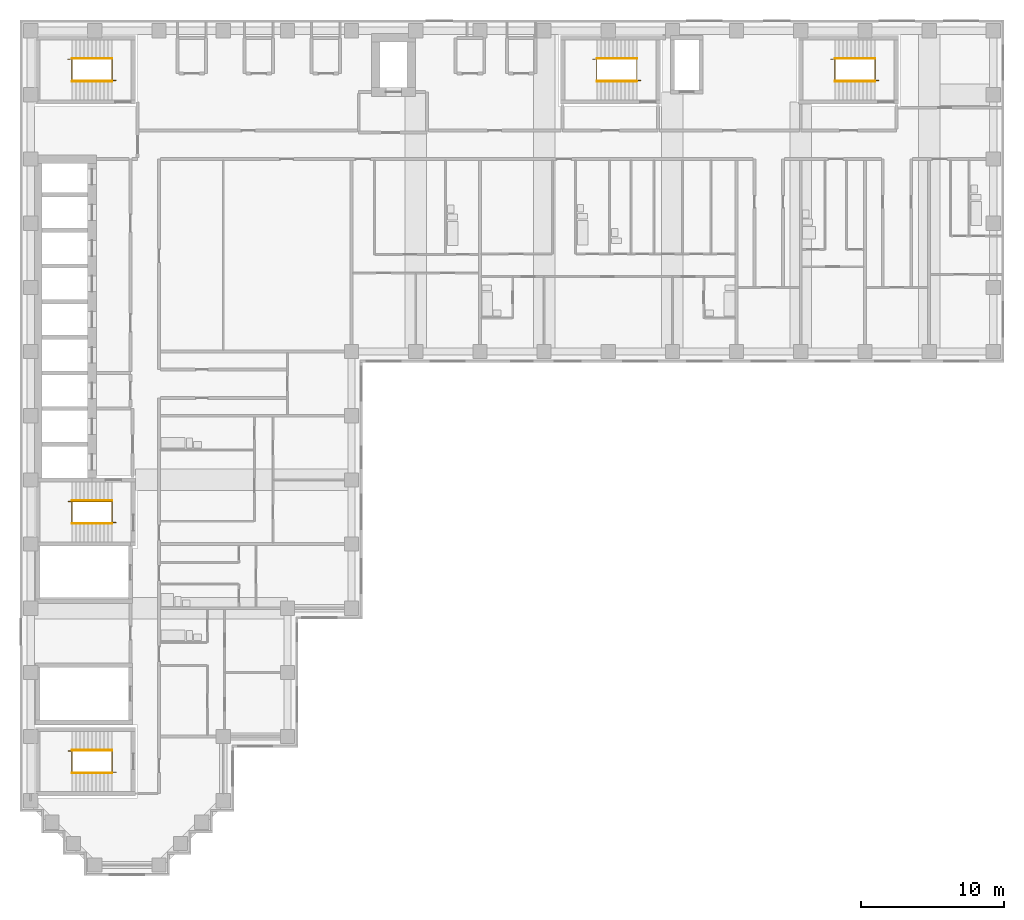
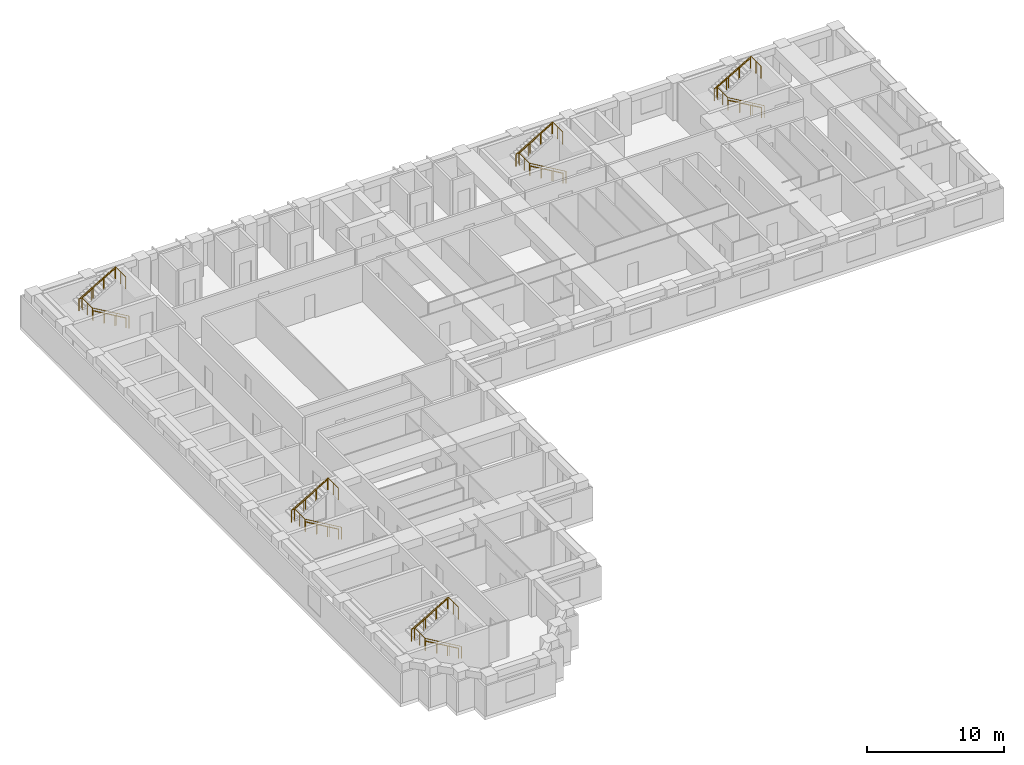
# One storey, part 11 of 12: 15 railings.
"""IFC4 building model written with IfcOpenShell, lengths in metres."""

from ifc_helpers import new_model, si_unit, direction, frame, origin, origin_2d, place, context, subcontext, project, spatial, circle, extrude, material, type_object, element, save


model = new_model("IFC4")

# Units and contexts
model_context = context("Model", 3, precision=1e-05, world=origin(), true_north=direction((0.0, 1.0)))
body_context = subcontext(model_context, "Body", "Model", "MODEL_VIEW")
ifc_project = project(units=[si_unit("LENGTHUNIT", "METRE"), si_unit("AREAUNIT", "SQUARE_METRE"), si_unit("VOLUMEUNIT", "CUBIC_METRE"), si_unit("PLANEANGLEUNIT", "RADIAN"), si_unit("MASSUNIT", "GRAM", prefix="KILO")], contexts=[model_context])

# Site, building, storey
site_placement = place(None, origin())
site = spatial("IfcSite", under=ifc_project, at=site_placement, CompositionType="ELEMENT")
building_placement = place(site_placement, origin())
building = spatial("IfcBuilding", under=site, at=building_placement, Name="Firuza Court", CompositionType="ELEMENT")
storey_placement = place(building_placement, frame((0.0, 0.0, 123.199951171875)))
storey = spatial("IfcBuildingStorey", under=building, at=storey_placement, Name="L30", CompositionType="ELEMENT", Elevation=123.199951171875)

# Railings
ifc_material_1 = material(Name="Steel S355", Category="steel")
railing_type_1 = type_object("IfcRailingType", Name="Handrail 900", PredefinedType="HANDRAIL", material=ifc_material_1)
railing_1_placement = place(storey_placement, frame((42.5, 54.949951171875, 0.16357421875)))
element("IfcRailing", 1, at=railing_1_placement, inside=storey, type_object=railing_type_1, Name="Handrail S1 flight 1", PredefinedType="HANDRAIL", context=body_context, shape_type="SweptSolid", body=[
    extrude(circle(Radius=0.02490234375, at=origin_2d()), frame((0.0, 0.0, 0.875), z_axis=(-0.863360870873, 0.0, 0.504586966384), x_axis=(0.0, -1.0, 0.0)), (0.0, 0.0, 1.0), 3.2431640625),
    extrude(circle(Radius=0.02001953125, at=origin_2d()), origin(), (0.0, 0.0, 1.0), 0.849853515625),
    extrude(circle(Radius=0.02001953125, at=origin_2d()), frame((-0.933349609375, 0.0, 0.54541015625)), (0.0, 0.0, 1.0), 0.849853515625),
    extrude(circle(Radius=0.02001953125, at=origin_2d()), frame((-1.86669921875, 0.0, 1.091064453125)), (0.0, 0.0, 1.0), 0.849853515625),
    extrude(circle(Radius=0.02001953125, at=origin_2d()), frame((-2.800048828125, 0.0, 1.636474609375)), (0.0, 0.0, 1.0), 0.849853515625),
])
railing_2_placement = place(storey_placement, frame((39.699951171875, 56.550048828125, 1.963623046875)))
element("IfcRailing", 2, at=railing_2_placement, inside=storey, type_object=railing_type_1, Name="Handrail S1 flight 2", PredefinedType="HANDRAIL", context=body_context, shape_type="SweptSolid", body=[
    extrude(circle(Radius=0.02490234375, at=origin_2d()), frame((0.0, 0.0, 0.875), z_axis=(0.863360870873, 0.0, 0.504586966384), x_axis=(0.0, 1.0, 0.0)), (0.0, 0.0, 1.0), 3.2431640625),
    extrude(circle(Radius=0.02001953125, at=origin_2d()), origin(), (0.0, 0.0, 1.0), 0.849853515625),
    extrude(circle(Radius=0.02001953125, at=origin_2d()), frame((0.933349609375, 0.0, 0.54541015625)), (0.0, 0.0, 1.0), 0.849853515625),
    extrude(circle(Radius=0.02001953125, at=origin_2d()), frame((1.86669921875, 0.0, 1.091064453125)), (0.0, 0.0, 1.0), 0.849853515625),
    extrude(circle(Radius=0.02001953125, at=origin_2d()), frame((2.800048828125, 0.0, 1.636474609375)), (0.0, 0.0, 1.0), 0.849853515625),
])
railing_3_placement = place(storey_placement, frame((5.699951171875, 23.949951171875, 0.16357421875)))
element("IfcRailing", 3, at=railing_3_placement, inside=storey, type_object=railing_type_1, Name="Handrail S2 flight 1", PredefinedType="HANDRAIL", context=body_context, shape_type="SweptSolid", body=[
    extrude(circle(Radius=0.02490234375, at=origin_2d()), frame((0.0, 0.0, 0.875), z_axis=(-0.863360870873, 0.0, 0.504586966384), x_axis=(0.0, -1.0, 0.0)), (0.0, 0.0, 1.0), 3.2431640625),
    extrude(circle(Radius=0.02001953125, at=origin_2d()), origin(), (0.0, 0.0, 1.0), 0.849853515625),
    extrude(circle(Radius=0.02001953125, at=origin_2d()), frame((-0.933349609375, 0.0, 0.54541015625)), (0.0, 0.0, 1.0), 0.849853515625),
    extrude(circle(Radius=0.02001953125, at=origin_2d()), frame((-1.86669921875, 0.0, 1.091064453125)), (0.0, 0.0, 1.0), 0.849853515625),
    extrude(circle(Radius=0.02001953125, at=origin_2d()), frame((-2.800048828125, 0.0, 1.636474609375)), (0.0, 0.0, 1.0), 0.849853515625),
])
railing_4_placement = place(storey_placement, frame((2.89990234375, 25.550048828125, 1.963623046875)))
element("IfcRailing", 4, at=railing_4_placement, inside=storey, type_object=railing_type_1, Name="Handrail S2 flight 2", PredefinedType="HANDRAIL", context=body_context, shape_type="SweptSolid", body=[
    extrude(circle(Radius=0.02490234375, at=origin_2d()), frame((0.0, 0.0, 0.875), z_axis=(0.863360870873, 0.0, 0.504586966384), x_axis=(0.0, 1.0, 0.0)), (0.0, 0.0, 1.0), 3.2431640625),
    extrude(circle(Radius=0.02001953125, at=origin_2d()), origin(), (0.0, 0.0, 1.0), 0.849853515625),
    extrude(circle(Radius=0.02001953125, at=origin_2d()), frame((0.933349609375, 0.0, 0.54541015625)), (0.0, 0.0, 1.0), 0.849853515625),
    extrude(circle(Radius=0.02001953125, at=origin_2d()), frame((1.86669921875, 0.0, 1.091064453125)), (0.0, 0.0, 1.0), 0.849853515625),
    extrude(circle(Radius=0.02001953125, at=origin_2d()), frame((2.800048828125, 0.0, 1.636474609375)), (0.0, 0.0, 1.0), 0.849853515625),
])
railing_5_placement = place(storey_placement, frame((5.699951171875, 54.949951171875, 0.16357421875)))
element("IfcRailing", 5, at=railing_5_placement, inside=storey, type_object=railing_type_1, Name="Handrail S3 flight 1", PredefinedType="HANDRAIL", context=body_context, shape_type="SweptSolid", body=[
    extrude(circle(Radius=0.02490234375, at=origin_2d()), frame((0.0, 0.0, 0.875), z_axis=(-0.863360870873, 0.0, 0.504586966384), x_axis=(0.0, -1.0, 0.0)), (0.0, 0.0, 1.0), 3.2431640625),
    extrude(circle(Radius=0.02001953125, at=origin_2d()), origin(), (0.0, 0.0, 1.0), 0.849853515625),
    extrude(circle(Radius=0.02001953125, at=origin_2d()), frame((-0.933349609375, 0.0, 0.54541015625)), (0.0, 0.0, 1.0), 0.849853515625),
    extrude(circle(Radius=0.02001953125, at=origin_2d()), frame((-1.86669921875, 0.0, 1.091064453125)), (0.0, 0.0, 1.0), 0.849853515625),
    extrude(circle(Radius=0.02001953125, at=origin_2d()), frame((-2.800048828125, 0.0, 1.636474609375)), (0.0, 0.0, 1.0), 0.849853515625),
])
railing_6_placement = place(storey_placement, frame((2.89990234375, 56.550048828125, 1.963623046875)))
element("IfcRailing", 6, at=railing_6_placement, inside=storey, type_object=railing_type_1, Name="Handrail S3 flight 2", PredefinedType="HANDRAIL", context=body_context, shape_type="SweptSolid", body=[
    extrude(circle(Radius=0.02490234375, at=origin_2d()), frame((0.0, 0.0, 0.875), z_axis=(0.863360870873, 0.0, 0.504586966384), x_axis=(0.0, 1.0, 0.0)), (0.0, 0.0, 1.0), 3.2431640625),
    extrude(circle(Radius=0.02001953125, at=origin_2d()), origin(), (0.0, 0.0, 1.0), 0.849853515625),
    extrude(circle(Radius=0.02001953125, at=origin_2d()), frame((0.933349609375, 0.0, 0.54541015625)), (0.0, 0.0, 1.0), 0.849853515625),
    extrude(circle(Radius=0.02001953125, at=origin_2d()), frame((1.86669921875, 0.0, 1.091064453125)), (0.0, 0.0, 1.0), 0.849853515625),
    extrude(circle(Radius=0.02001953125, at=origin_2d()), frame((2.800048828125, 0.0, 1.636474609375)), (0.0, 0.0, 1.0), 0.849853515625),
])
railing_7_placement = place(storey_placement, frame((59.199951171875, 54.949951171875, 0.16357421875)))
element("IfcRailing", 7, at=railing_7_placement, inside=storey, type_object=railing_type_1, Name="Handrail S4 flight 1", PredefinedType="HANDRAIL", context=body_context, shape_type="SweptSolid", body=[
    extrude(circle(Radius=0.02490234375, at=origin_2d()), frame((0.0, 0.0, 0.875), z_axis=(-0.863360870873, 0.0, 0.504586966384), x_axis=(0.0, -1.0, 0.0)), (0.0, 0.0, 1.0), 3.2431640625),
    extrude(circle(Radius=0.02001953125, at=origin_2d()), origin(), (0.0, 0.0, 1.0), 0.849853515625),
    extrude(circle(Radius=0.02001953125, at=origin_2d()), frame((-0.933349609375, 0.0, 0.54541015625)), (0.0, 0.0, 1.0), 0.849853515625),
    extrude(circle(Radius=0.02001953125, at=origin_2d()), frame((-1.86669921875, 0.0, 1.091064453125)), (0.0, 0.0, 1.0), 0.849853515625),
    extrude(circle(Radius=0.02001953125, at=origin_2d()), frame((-2.800048828125, 0.0, 1.636474609375)), (0.0, 0.0, 1.0), 0.849853515625),
])
railing_8_placement = place(storey_placement, frame((56.39990234375, 56.550048828125, 1.963623046875)))
element("IfcRailing", 8, at=railing_8_placement, inside=storey, type_object=railing_type_1, Name="Handrail S4 flight 2", PredefinedType="HANDRAIL", context=body_context, shape_type="SweptSolid", body=[
    extrude(circle(Radius=0.02490234375, at=origin_2d()), frame((0.0, 0.0, 0.875), z_axis=(0.863360870873, 0.0, 0.504586966384), x_axis=(0.0, 1.0, 0.0)), (0.0, 0.0, 1.0), 3.2431640625),
    extrude(circle(Radius=0.02001953125, at=origin_2d()), origin(), (0.0, 0.0, 1.0), 0.849853515625),
    extrude(circle(Radius=0.02001953125, at=origin_2d()), frame((0.933349609375, 0.0, 0.54541015625)), (0.0, 0.0, 1.0), 0.849853515625),
    extrude(circle(Radius=0.02001953125, at=origin_2d()), frame((1.86669921875, 0.0, 1.091064453125)), (0.0, 0.0, 1.0), 0.849853515625),
    extrude(circle(Radius=0.02001953125, at=origin_2d()), frame((2.800048828125, 0.0, 1.636474609375)), (0.0, 0.0, 1.0), 0.849853515625),
])
railing_9_placement = place(storey_placement, frame((5.699951171875, 6.449951171875, 0.16357421875)))
element("IfcRailing", 9, at=railing_9_placement, inside=storey, type_object=railing_type_1, Name="Handrail S5 flight 1", PredefinedType="HANDRAIL", context=body_context, shape_type="SweptSolid", body=[
    extrude(circle(Radius=0.02490234375, at=origin_2d()), frame((0.0, 0.0, 0.875), z_axis=(-0.863360870873, 0.0, 0.504586966384), x_axis=(0.0, -1.0, 0.0)), (0.0, 0.0, 1.0), 3.2431640625),
    extrude(circle(Radius=0.02001953125, at=origin_2d()), origin(), (0.0, 0.0, 1.0), 0.849853515625),
    extrude(circle(Radius=0.02001953125, at=origin_2d()), frame((-0.933349609375, 0.0, 0.54541015625)), (0.0, 0.0, 1.0), 0.849853515625),
    extrude(circle(Radius=0.02001953125, at=origin_2d()), frame((-1.86669921875, 0.0, 1.091064453125)), (0.0, 0.0, 1.0), 0.849853515625),
    extrude(circle(Radius=0.02001953125, at=origin_2d()), frame((-2.800048828125, 0.0, 1.636474609375)), (0.0, 0.0, 1.0), 0.849853515625),
])
railing_10_placement = place(storey_placement, frame((2.89990234375, 8.050048828125, 1.963623046875)))
element("IfcRailing", 10, at=railing_10_placement, inside=storey, type_object=railing_type_1, Name="Handrail S5 flight 2", PredefinedType="HANDRAIL", context=body_context, shape_type="SweptSolid", body=[
    extrude(circle(Radius=0.02490234375, at=origin_2d()), frame((0.0, 0.0, 0.875), z_axis=(0.863360870873, 0.0, 0.504586966384), x_axis=(0.0, 1.0, 0.0)), (0.0, 0.0, 1.0), 3.2431640625),
    extrude(circle(Radius=0.02001953125, at=origin_2d()), origin(), (0.0, 0.0, 1.0), 0.849853515625),
    extrude(circle(Radius=0.02001953125, at=origin_2d()), frame((0.933349609375, 0.0, 0.54541015625)), (0.0, 0.0, 1.0), 0.849853515625),
    extrude(circle(Radius=0.02001953125, at=origin_2d()), frame((1.86669921875, 0.0, 1.091064453125)), (0.0, 0.0, 1.0), 0.849853515625),
    extrude(circle(Radius=0.02001953125, at=origin_2d()), frame((2.800048828125, 0.0, 1.636474609375)), (0.0, 0.0, 1.0), 0.849853515625),
])
ifc_material_2 = material(Name="Steel S355", Category="steel")
railing_type_2 = type_object("IfcRailingType", Name="Stair guard 1100", PredefinedType="GUARDRAIL", material=ifc_material_2)
railing_11_placement = place(storey_placement, frame((42.780029296875, 55.010009765625, 0.0)))
element("IfcRailing", 11, at=railing_11_placement, inside=storey, type_object=railing_type_2, Name="Stair well guard S1", PredefinedType="GUARDRAIL", context=body_context, shape_type="SweptSolid", body=[
    extrude(circle(Radius=0.02490234375, at=origin_2d()), frame((0.0, 0.0, 1.0751953125), z_axis=(-0.863371556955, 0.0, 0.504568681787), x_axis=(0.0, -1.0, 0.0)), (0.0, 0.0, 1.0), 3.5673828125),
    extrude(circle(Radius=0.02490234375, at=origin_2d()), frame((-3.080078125, 0.0, 2.875), z_axis=(0.0, 1.0, 0.0), x_axis=(-1.0, 0.0, 0.0)), (0.0, 0.0, 1.0), 1.47998046875),
    extrude(circle(Radius=0.02490234375, at=origin_2d()), frame((-3.080078125, 1.47998046875, 2.875), z_axis=(-1.0, 0.0, 0.0), x_axis=(0.0, -1.0, 0.0)), (0.0, 0.0, 1.0), 0.280029296875),
    extrude(circle(Radius=0.02490234375, at=origin_2d()), frame((-3.360107421875, 1.47998046875, 2.875), z_axis=(0.863371556955, 0.0, 0.504568681787), x_axis=(0.0, 1.0, 0.0)), (0.0, 0.0, 1.0), 3.5673828125),
    extrude(circle(Radius=0.02490234375, at=origin_2d()), frame((-0.280029296875, 1.47998046875, 4.67529296875), z_axis=(0.0, -1.0, 0.0), x_axis=(1.0, 0.0, 0.0)), (0.0, 0.0, 1.0), 1.47998046875),
    extrude(circle(Radius=0.02490234375, at=origin_2d()), origin(), (0.0, 0.0, 1.0), 1.050048828125),
    extrude(circle(Radius=0.02490234375, at=origin_2d()), frame((-1.026611328125, 0.0, 0.60009765625)), (0.0, 0.0, 1.0), 1.050048828125),
    extrude(circle(Radius=0.02490234375, at=origin_2d()), frame((-2.053466796875, 0.0, 1.199951171875)), (0.0, 0.0, 1.0), 1.050048828125),
    extrude(circle(Radius=0.02490234375, at=origin_2d()), frame((-3.080078125, 0.0, 1.800048828125)), (0.0, 0.0, 1.0), 1.050048828125),
    extrude(circle(Radius=0.02490234375, at=origin_2d()), frame((-3.080078125, 0.739990234375, 1.800048828125)), (0.0, 0.0, 1.0), 1.050048828125),
    extrude(circle(Radius=0.02490234375, at=origin_2d()), frame((-3.080078125, 1.47998046875, 1.800048828125)), (0.0, 0.0, 1.0), 1.050048828125),
    extrude(circle(Radius=0.02490234375, at=origin_2d()), frame((-3.360107421875, 1.47998046875, 1.800048828125)), (0.0, 0.0, 1.0), 1.050048828125),
    extrude(circle(Radius=0.02490234375, at=origin_2d()), frame((-2.33349609375, 1.47998046875, 2.400146484375)), (0.0, 0.0, 1.0), 1.050048828125),
    extrude(circle(Radius=0.02490234375, at=origin_2d()), frame((-1.306640625, 1.47998046875, 3.0)), (0.0, 0.0, 1.0), 1.050048828125),
    extrude(circle(Radius=0.02490234375, at=origin_2d()), frame((-0.280029296875, 1.47998046875, 3.60009765625)), (0.0, 0.0, 1.0), 1.050048828125),
    extrude(circle(Radius=0.02490234375, at=origin_2d()), frame((-0.280029296875, 0.739990234375, 3.60009765625)), (0.0, 0.0, 1.0), 1.050048828125),
    extrude(circle(Radius=0.02490234375, at=origin_2d()), frame((-0.280029296875, 0.0, 3.60009765625)), (0.0, 0.0, 1.0), 1.050048828125),
])
railing_12_placement = place(storey_placement, frame((5.97998046875, 24.010009765625, 0.0)))
element("IfcRailing", 12, at=railing_12_placement, inside=storey, type_object=railing_type_2, Name="Stair well guard S2", PredefinedType="GUARDRAIL", context=body_context, shape_type="SweptSolid", body=[
    extrude(circle(Radius=0.02490234375, at=origin_2d()), frame((0.0, 0.0, 1.0751953125), z_axis=(-0.863371556955, 0.0, 0.504568681787), x_axis=(0.0, -1.0, 0.0)), (0.0, 0.0, 1.0), 3.5673828125),
    extrude(circle(Radius=0.02490234375, at=origin_2d()), frame((-3.080078125, 0.0, 2.875), z_axis=(0.0, 1.0, 0.0), x_axis=(-1.0, 0.0, 0.0)), (0.0, 0.0, 1.0), 1.47998046875),
    extrude(circle(Radius=0.02490234375, at=origin_2d()), frame((-3.080078125, 1.47998046875, 2.875), z_axis=(-1.0, 0.0, 0.0), x_axis=(0.0, -1.0, 0.0)), (0.0, 0.0, 1.0), 0.27978515625),
    extrude(circle(Radius=0.02490234375, at=origin_2d()), frame((-3.35986328125, 1.47998046875, 2.875), z_axis=(0.863354132664, 0.0, 0.504598495452), x_axis=(0.0, 1.0, 0.0)), (0.0, 0.0, 1.0), 3.5673828125),
    extrude(circle(Radius=0.02490234375, at=origin_2d()), frame((-0.280029296875, 1.47998046875, 4.67529296875), z_axis=(0.0, -1.0, 0.0), x_axis=(1.0, 0.0, 0.0)), (0.0, 0.0, 1.0), 1.47998046875),
    extrude(circle(Radius=0.02490234375, at=origin_2d()), origin(), (0.0, 0.0, 1.0), 1.050048828125),
    extrude(circle(Radius=0.02490234375, at=origin_2d()), frame((-1.026611328125, 0.0, 0.60009765625)), (0.0, 0.0, 1.0), 1.050048828125),
    extrude(circle(Radius=0.02490234375, at=origin_2d()), frame((-2.053466796875, 0.0, 1.199951171875)), (0.0, 0.0, 1.0), 1.050048828125),
    extrude(circle(Radius=0.02490234375, at=origin_2d()), frame((-3.080078125, 0.0, 1.800048828125)), (0.0, 0.0, 1.0), 1.050048828125),
    extrude(circle(Radius=0.02490234375, at=origin_2d()), frame((-3.080078125, 0.739990234375, 1.800048828125)), (0.0, 0.0, 1.0), 1.050048828125),
    extrude(circle(Radius=0.02490234375, at=origin_2d()), frame((-3.080078125, 1.47998046875, 1.800048828125)), (0.0, 0.0, 1.0), 1.050048828125),
    extrude(circle(Radius=0.02490234375, at=origin_2d()), frame((-3.35986328125, 1.47998046875, 1.800048828125)), (0.0, 0.0, 1.0), 1.050048828125),
    extrude(circle(Radius=0.02490234375, at=origin_2d()), frame((-2.333251953125, 1.47998046875, 2.400146484375)), (0.0, 0.0, 1.0), 1.050048828125),
    extrude(circle(Radius=0.02490234375, at=origin_2d()), frame((-1.306640625, 1.47998046875, 3.0)), (0.0, 0.0, 1.0), 1.050048828125),
    extrude(circle(Radius=0.02490234375, at=origin_2d()), frame((-0.280029296875, 1.47998046875, 3.60009765625)), (0.0, 0.0, 1.0), 1.050048828125),
    extrude(circle(Radius=0.02490234375, at=origin_2d()), frame((-0.280029296875, 0.739990234375, 3.60009765625)), (0.0, 0.0, 1.0), 1.050048828125),
    extrude(circle(Radius=0.02490234375, at=origin_2d()), frame((-0.280029296875, 0.0, 3.60009765625)), (0.0, 0.0, 1.0), 1.050048828125),
])
railing_13_placement = place(storey_placement, frame((5.97998046875, 55.010009765625, 0.0)))
element("IfcRailing", 13, at=railing_13_placement, inside=storey, type_object=railing_type_2, Name="Stair well guard S3", PredefinedType="GUARDRAIL", context=body_context, shape_type="SweptSolid", body=[
    extrude(circle(Radius=0.02490234375, at=origin_2d()), frame((0.0, 0.0, 1.0751953125), z_axis=(-0.863371556955, 0.0, 0.504568681787), x_axis=(0.0, -1.0, 0.0)), (0.0, 0.0, 1.0), 3.5673828125),
    extrude(circle(Radius=0.02490234375, at=origin_2d()), frame((-3.080078125, 0.0, 2.875), z_axis=(0.0, 1.0, 0.0), x_axis=(-1.0, 0.0, 0.0)), (0.0, 0.0, 1.0), 1.47998046875),
    extrude(circle(Radius=0.02490234375, at=origin_2d()), frame((-3.080078125, 1.47998046875, 2.875), z_axis=(-1.0, 0.0, 0.0), x_axis=(0.0, -1.0, 0.0)), (0.0, 0.0, 1.0), 0.27978515625),
    extrude(circle(Radius=0.02490234375, at=origin_2d()), frame((-3.35986328125, 1.47998046875, 2.875), z_axis=(0.863354132664, 0.0, 0.504598495452), x_axis=(0.0, 1.0, 0.0)), (0.0, 0.0, 1.0), 3.5673828125),
    extrude(circle(Radius=0.02490234375, at=origin_2d()), frame((-0.280029296875, 1.47998046875, 4.67529296875), z_axis=(0.0, -1.0, 0.0), x_axis=(1.0, 0.0, 0.0)), (0.0, 0.0, 1.0), 1.47998046875),
    extrude(circle(Radius=0.02490234375, at=origin_2d()), origin(), (0.0, 0.0, 1.0), 1.050048828125),
    extrude(circle(Radius=0.02490234375, at=origin_2d()), frame((-1.026611328125, 0.0, 0.60009765625)), (0.0, 0.0, 1.0), 1.050048828125),
    extrude(circle(Radius=0.02490234375, at=origin_2d()), frame((-2.053466796875, 0.0, 1.199951171875)), (0.0, 0.0, 1.0), 1.050048828125),
    extrude(circle(Radius=0.02490234375, at=origin_2d()), frame((-3.080078125, 0.0, 1.800048828125)), (0.0, 0.0, 1.0), 1.050048828125),
    extrude(circle(Radius=0.02490234375, at=origin_2d()), frame((-3.080078125, 0.739990234375, 1.800048828125)), (0.0, 0.0, 1.0), 1.050048828125),
    extrude(circle(Radius=0.02490234375, at=origin_2d()), frame((-3.080078125, 1.47998046875, 1.800048828125)), (0.0, 0.0, 1.0), 1.050048828125),
    extrude(circle(Radius=0.02490234375, at=origin_2d()), frame((-3.35986328125, 1.47998046875, 1.800048828125)), (0.0, 0.0, 1.0), 1.050048828125),
    extrude(circle(Radius=0.02490234375, at=origin_2d()), frame((-2.333251953125, 1.47998046875, 2.400146484375)), (0.0, 0.0, 1.0), 1.050048828125),
    extrude(circle(Radius=0.02490234375, at=origin_2d()), frame((-1.306640625, 1.47998046875, 3.0)), (0.0, 0.0, 1.0), 1.050048828125),
    extrude(circle(Radius=0.02490234375, at=origin_2d()), frame((-0.280029296875, 1.47998046875, 3.60009765625)), (0.0, 0.0, 1.0), 1.050048828125),
    extrude(circle(Radius=0.02490234375, at=origin_2d()), frame((-0.280029296875, 0.739990234375, 3.60009765625)), (0.0, 0.0, 1.0), 1.050048828125),
    extrude(circle(Radius=0.02490234375, at=origin_2d()), frame((-0.280029296875, 0.0, 3.60009765625)), (0.0, 0.0, 1.0), 1.050048828125),
])
railing_14_placement = place(storey_placement, frame((59.47998046875, 55.010009765625, 0.0)))
element("IfcRailing", 14, at=railing_14_placement, inside=storey, type_object=railing_type_2, Name="Stair well guard S4", PredefinedType="GUARDRAIL", context=body_context, shape_type="SweptSolid", body=[
    extrude(circle(Radius=0.02490234375, at=origin_2d()), frame((0.0, 0.0, 1.0751953125), z_axis=(-0.863371556955, 0.0, 0.504568681787), x_axis=(0.0, -1.0, 0.0)), (0.0, 0.0, 1.0), 3.5673828125),
    extrude(circle(Radius=0.02490234375, at=origin_2d()), frame((-3.080078125, 0.0, 2.875), z_axis=(0.0, 1.0, 0.0), x_axis=(-1.0, 0.0, 0.0)), (0.0, 0.0, 1.0), 1.47998046875),
    extrude(circle(Radius=0.02490234375, at=origin_2d()), frame((-3.080078125, 1.47998046875, 2.875), z_axis=(-1.0, 0.0, 0.0), x_axis=(0.0, -1.0, 0.0)), (0.0, 0.0, 1.0), 0.27978515625),
    extrude(circle(Radius=0.02490234375, at=origin_2d()), frame((-3.35986328125, 1.47998046875, 2.875), z_axis=(0.863354132664, 0.0, 0.504598495452), x_axis=(0.0, 1.0, 0.0)), (0.0, 0.0, 1.0), 3.5673828125),
    extrude(circle(Radius=0.02490234375, at=origin_2d()), frame((-0.280029296875, 1.47998046875, 4.67529296875), z_axis=(0.0, -1.0, 0.0), x_axis=(1.0, 0.0, 0.0)), (0.0, 0.0, 1.0), 1.47998046875),
    extrude(circle(Radius=0.02490234375, at=origin_2d()), origin(), (0.0, 0.0, 1.0), 1.050048828125),
    extrude(circle(Radius=0.02490234375, at=origin_2d()), frame((-1.026611328125, 0.0, 0.60009765625)), (0.0, 0.0, 1.0), 1.050048828125),
    extrude(circle(Radius=0.02490234375, at=origin_2d()), frame((-2.053466796875, 0.0, 1.199951171875)), (0.0, 0.0, 1.0), 1.050048828125),
    extrude(circle(Radius=0.02490234375, at=origin_2d()), frame((-3.080078125, 0.0, 1.800048828125)), (0.0, 0.0, 1.0), 1.050048828125),
    extrude(circle(Radius=0.02490234375, at=origin_2d()), frame((-3.080078125, 0.739990234375, 1.800048828125)), (0.0, 0.0, 1.0), 1.050048828125),
    extrude(circle(Radius=0.02490234375, at=origin_2d()), frame((-3.080078125, 1.47998046875, 1.800048828125)), (0.0, 0.0, 1.0), 1.050048828125),
    extrude(circle(Radius=0.02490234375, at=origin_2d()), frame((-3.35986328125, 1.47998046875, 1.800048828125)), (0.0, 0.0, 1.0), 1.050048828125),
    extrude(circle(Radius=0.02490234375, at=origin_2d()), frame((-2.333251953125, 1.47998046875, 2.400146484375)), (0.0, 0.0, 1.0), 1.050048828125),
    extrude(circle(Radius=0.02490234375, at=origin_2d()), frame((-1.306640625, 1.47998046875, 3.0)), (0.0, 0.0, 1.0), 1.050048828125),
    extrude(circle(Radius=0.02490234375, at=origin_2d()), frame((-0.280029296875, 1.47998046875, 3.60009765625)), (0.0, 0.0, 1.0), 1.050048828125),
    extrude(circle(Radius=0.02490234375, at=origin_2d()), frame((-0.280029296875, 0.739990234375, 3.60009765625)), (0.0, 0.0, 1.0), 1.050048828125),
    extrude(circle(Radius=0.02490234375, at=origin_2d()), frame((-0.280029296875, 0.0, 3.60009765625)), (0.0, 0.0, 1.0), 1.050048828125),
])
railing_15_placement = place(storey_placement, frame((5.97998046875, 6.510009765625, 0.0)))
element("IfcRailing", 15, at=railing_15_placement, inside=storey, type_object=railing_type_2, Name="Stair well guard S5", PredefinedType="GUARDRAIL", context=body_context, shape_type="SweptSolid", body=[
    extrude(circle(Radius=0.02490234375, at=origin_2d()), frame((0.0, 0.0, 1.0751953125), z_axis=(-0.863371556955, 0.0, 0.504568681787), x_axis=(0.0, -1.0, 0.0)), (0.0, 0.0, 1.0), 3.5673828125),
    extrude(circle(Radius=0.02490234375, at=origin_2d()), frame((-3.080078125, 0.0, 2.875), z_axis=(0.0, 1.0, 0.0), x_axis=(-1.0, 0.0, 0.0)), (0.0, 0.0, 1.0), 1.47998046875),
    extrude(circle(Radius=0.02490234375, at=origin_2d()), frame((-3.080078125, 1.47998046875, 2.875), z_axis=(-1.0, 0.0, 0.0), x_axis=(0.0, -1.0, 0.0)), (0.0, 0.0, 1.0), 0.27978515625),
    extrude(circle(Radius=0.02490234375, at=origin_2d()), frame((-3.35986328125, 1.47998046875, 2.875), z_axis=(0.863354132664, 0.0, 0.504598495452), x_axis=(0.0, 1.0, 0.0)), (0.0, 0.0, 1.0), 3.5673828125),
    extrude(circle(Radius=0.02490234375, at=origin_2d()), frame((-0.280029296875, 1.47998046875, 4.67529296875), z_axis=(0.0, -1.0, 0.0), x_axis=(1.0, 0.0, 0.0)), (0.0, 0.0, 1.0), 1.47998046875),
    extrude(circle(Radius=0.02490234375, at=origin_2d()), origin(), (0.0, 0.0, 1.0), 1.050048828125),
    extrude(circle(Radius=0.02490234375, at=origin_2d()), frame((-1.026611328125, 0.0, 0.60009765625)), (0.0, 0.0, 1.0), 1.050048828125),
    extrude(circle(Radius=0.02490234375, at=origin_2d()), frame((-2.053466796875, 0.0, 1.199951171875)), (0.0, 0.0, 1.0), 1.050048828125),
    extrude(circle(Radius=0.02490234375, at=origin_2d()), frame((-3.080078125, 0.0, 1.800048828125)), (0.0, 0.0, 1.0), 1.050048828125),
    extrude(circle(Radius=0.02490234375, at=origin_2d()), frame((-3.080078125, 0.739990234375, 1.800048828125)), (0.0, 0.0, 1.0), 1.050048828125),
    extrude(circle(Radius=0.02490234375, at=origin_2d()), frame((-3.080078125, 1.47998046875, 1.800048828125)), (0.0, 0.0, 1.0), 1.050048828125),
    extrude(circle(Radius=0.02490234375, at=origin_2d()), frame((-3.35986328125, 1.47998046875, 1.800048828125)), (0.0, 0.0, 1.0), 1.050048828125),
    extrude(circle(Radius=0.02490234375, at=origin_2d()), frame((-2.333251953125, 1.47998046875, 2.400146484375)), (0.0, 0.0, 1.0), 1.050048828125),
    extrude(circle(Radius=0.02490234375, at=origin_2d()), frame((-1.306640625, 1.47998046875, 3.0)), (0.0, 0.0, 1.0), 1.050048828125),
    extrude(circle(Radius=0.02490234375, at=origin_2d()), frame((-0.280029296875, 1.47998046875, 3.60009765625)), (0.0, 0.0, 1.0), 1.050048828125),
    extrude(circle(Radius=0.02490234375, at=origin_2d()), frame((-0.280029296875, 0.739990234375, 3.60009765625)), (0.0, 0.0, 1.0), 1.050048828125),
    extrude(circle(Radius=0.02490234375, at=origin_2d()), frame((-0.280029296875, 0.0, 3.60009765625)), (0.0, 0.0, 1.0), 1.050048828125),
])

save(model, "model.ifc")
